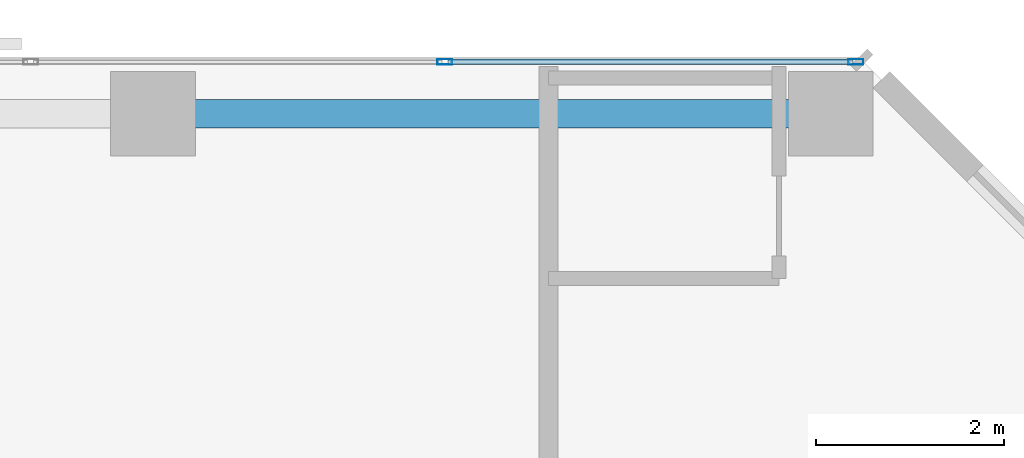
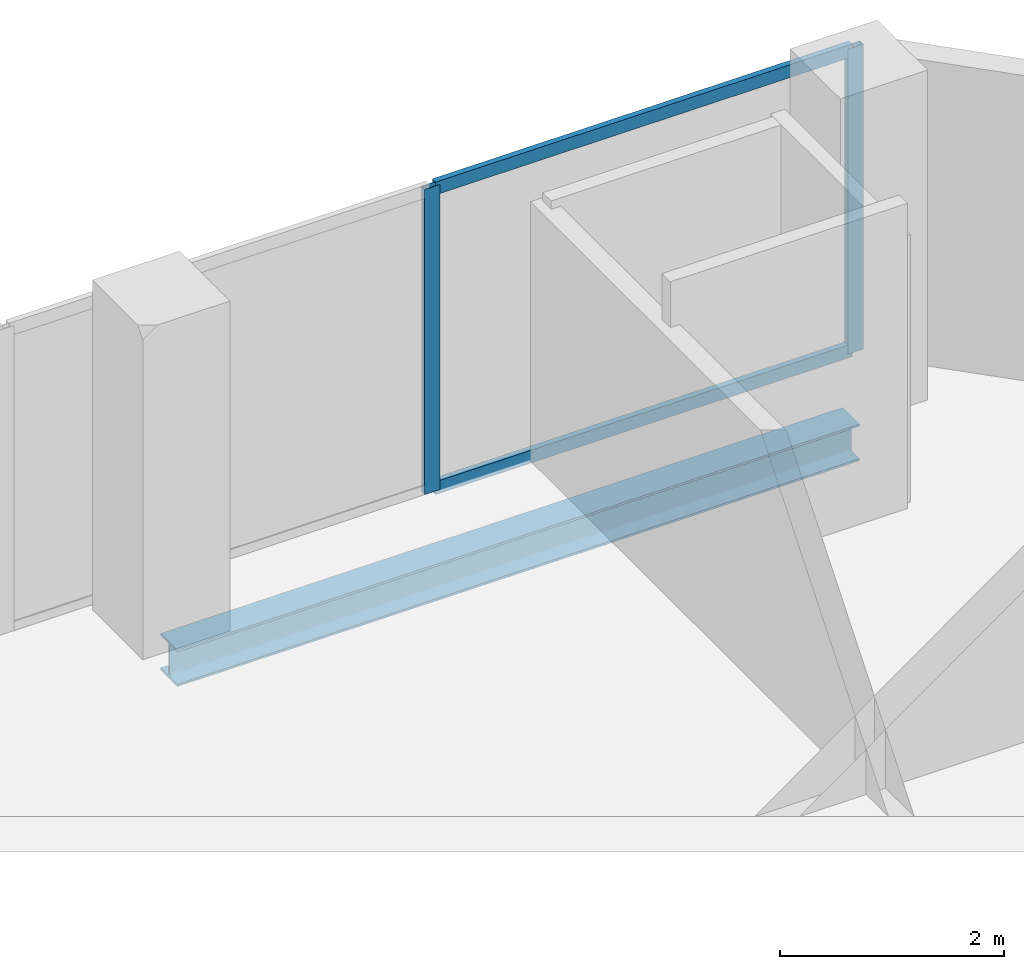
# One storey, part 25 of 34: 4 members, 1 beam, 1 element without a shape of its own.
"""IFC4 building model written with IfcOpenShell, lengths in metres."""

from ifc_helpers import new_model, si_unit, direction, frame, origin, origin_2d, place, context, subcontext, project, spatial, hollow_rectangle, i_section, extrude, material, layer, layer_set, material_profile, profile_set, type_object, element, aggregate, save


model = new_model("IFC4")

# Units and contexts
model_context = context("Model", 3, precision=1e-05, world=origin(), true_north=direction((0.0, 1.0)))
body_context = subcontext(model_context, "Body", "Model", "MODEL_VIEW")
ifc_project = project(units=[si_unit("LENGTHUNIT", "METRE"), si_unit("AREAUNIT", "SQUARE_METRE"), si_unit("VOLUMEUNIT", "CUBIC_METRE"), si_unit("PLANEANGLEUNIT", "RADIAN"), si_unit("MASSUNIT", "GRAM", prefix="KILO")], contexts=[model_context])

# Site, building, storey
site_placement = place(None, origin())
site = spatial("IfcSite", under=ifc_project, at=site_placement, CompositionType="ELEMENT")
building_placement = place(site_placement, origin())
building = spatial("IfcBuilding", under=site, at=building_placement, Name="Catumbela Crestline Tower", CompositionType="ELEMENT")
storey_placement = place(building_placement, frame((0.0, 0.0, 93.6)))
storey = spatial("IfcBuildingStorey", under=building, at=storey_placement, Name="L23", CompositionType="ELEMENT", Elevation=93.6)

# Curtain wall, members
ifc_material_1 = material(Name="Aluminium alloy AW-6060-T66", Category="aluminium")
ifc_layer = layer(ifc_material_1, 0.18, Name="Aluminium alloy AW-6060-T66")
ifc_layer_set = layer_set([ifc_layer], Name="Aluminium alloy AW-6060-T66")
curtain_wall_type = type_object("IfcCurtainWallType", Name="CWU-Z2", PredefinedType="USERDEFINED", material=ifc_layer_set)
curtain_wall_placement = place(storey_placement, origin())
curtain_wall = element("IfcCurtainWall", 1, at=curtain_wall_placement, inside=storey, type_object=curtain_wall_type, Name="L23 Unitised Curtain Wall CW-L23-E7S1", ObjectType="UNITISED", PredefinedType="USERDEFINED")
ifc_material_profile_1 = material_profile(ifc_material_1, hollow_rectangle(XDim=0.06, YDim=0.16, WallThickness=0.004, at=origin_2d()), Name="ALU 160x60x4")
ifc_profile_set_1 = profile_set([ifc_material_profile_1], Name="Aluminium alloy AW-6060-T66")
member_type_1 = type_object("IfcMemberType", Name="MUL-160X60", PredefinedType="MULLION", material=ifc_profile_set_1)
member_1_placement = place(storey_placement, frame((47.4675, 47.95, 0.0), z_axis=(0.0, 0.0, 1.0), x_axis=(0.0, -1.0, 0.0)))
member_1 = element("IfcMember", 2, at=member_1_placement, type_object=member_type_1, Name="CWU-Z2 mullion 1", PredefinedType="MULLION", context=body_context, shape_type="SweptSolid", body=[
    extrude(hollow_rectangle(XDim=0.06, YDim=0.16, WallThickness=0.004, at=origin_2d()), origin(), (0.0, 0.0, 1.0), 3.33),
])
member_2_placement = place(storey_placement, frame((43.1, 47.95, 0.0), z_axis=(0.0, 0.0, 1.0), x_axis=(0.0, -1.0, 0.0)))
member_2 = element("IfcMember", 3, at=member_2_placement, type_object=member_type_1, Name="CWU-Z2 mullion 2", PredefinedType="MULLION", context=body_context, shape_type="SweptSolid", body=[
    extrude(hollow_rectangle(XDim=0.06, YDim=0.16, WallThickness=0.004, at=origin_2d()), origin(), (0.0, 0.0, 1.0), 3.33),
])

# Beam
ifc_material_2 = material(Name="Structural steel S355J2", Category="steel")
ifc_material_profile_2 = material_profile(ifc_material_2, i_section(OverallWidth=0.3, OverallDepth=0.4, WebThickness=0.0135, FlangeThickness=0.024, FilletRadius=0.027, at=origin_2d()), Name="HEB 400")
ifc_profile_set_2 = profile_set([ifc_material_profile_2], Name="Structural steel S355J2")
beam_type = type_object("IfcBeamType", Name="BS-HEB400", PredefinedType="SPANDREL", material=ifc_profile_set_2)
beam_placement = place(storey_placement, frame((40.08, 47.4, -0.46), z_axis=(1.0, 0.0, 0.0), x_axis=(0.0, 1.0, 0.0)))
element("IfcBeam", 4, at=beam_placement, inside=storey, type_object=beam_type, Name="L23 Spandrel SP-L23-NF21", PredefinedType="SPANDREL", context=body_context, shape_type="SweptSolid", body=[
    extrude(i_section(OverallWidth=0.3, OverallDepth=0.4, WebThickness=0.0135, FlangeThickness=0.024, FilletRadius=0.027, at=origin_2d()), origin(), (0.0, 0.0, 1.0), 7.04),
])

# Member
ifc_material_profile_3 = material_profile(ifc_material_1, hollow_rectangle(XDim=0.06, YDim=0.14, WallThickness=0.004, at=origin_2d()), Name="ALU 140x60x4")
ifc_profile_set_3 = profile_set([ifc_material_profile_3], Name="Aluminium alloy AW-6060-T66")
member_type_2 = type_object("IfcMemberType", Name="TRN-140X60", PredefinedType="USERDEFINED", material=ifc_profile_set_3)
member_3_placement = place(storey_placement, frame((47.435, 47.95, 0.03), z_axis=(-1.0, 0.0, 0.0), x_axis=(0.0, -1.0, 0.0)))
member_3 = element("IfcMember", 5, at=member_3_placement, type_object=member_type_2, Name="CWU-Z2 transom 1.1", ObjectType="TRANSOM", PredefinedType="USERDEFINED", context=body_context, shape_type="SweptSolid", body=[
    extrude(hollow_rectangle(XDim=0.06, YDim=0.14, WallThickness=0.004, at=origin_2d()), origin(), (0.0, 0.0, 1.0), 4.3025),
])

member_4_placement = place(storey_placement, frame((47.435, 47.95, 3.3), z_axis=(-1.0, 0.0, 0.0), x_axis=(0.0, -1.0, 0.0)))
member_4 = element("IfcMember", 6, at=member_4_placement, type_object=member_type_2, Name="CWU-Z2 transom 1.2", ObjectType="TRANSOM", PredefinedType="USERDEFINED", context=body_context, shape_type="SweptSolid", body=[
    extrude(hollow_rectangle(XDim=0.06, YDim=0.14, WallThickness=0.004, at=origin_2d()), origin(), (0.0, 0.0, 1.0), 4.3025),
])

aggregate(curtain_wall, [member_1, member_2, member_3, member_4])

save(model, "model.ifc")
